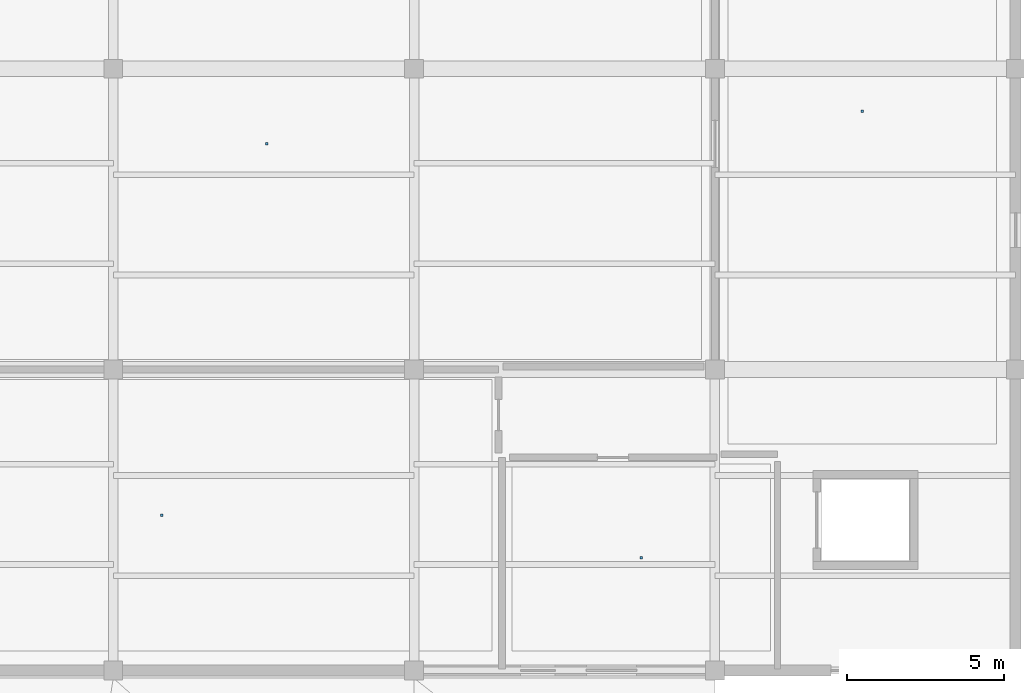
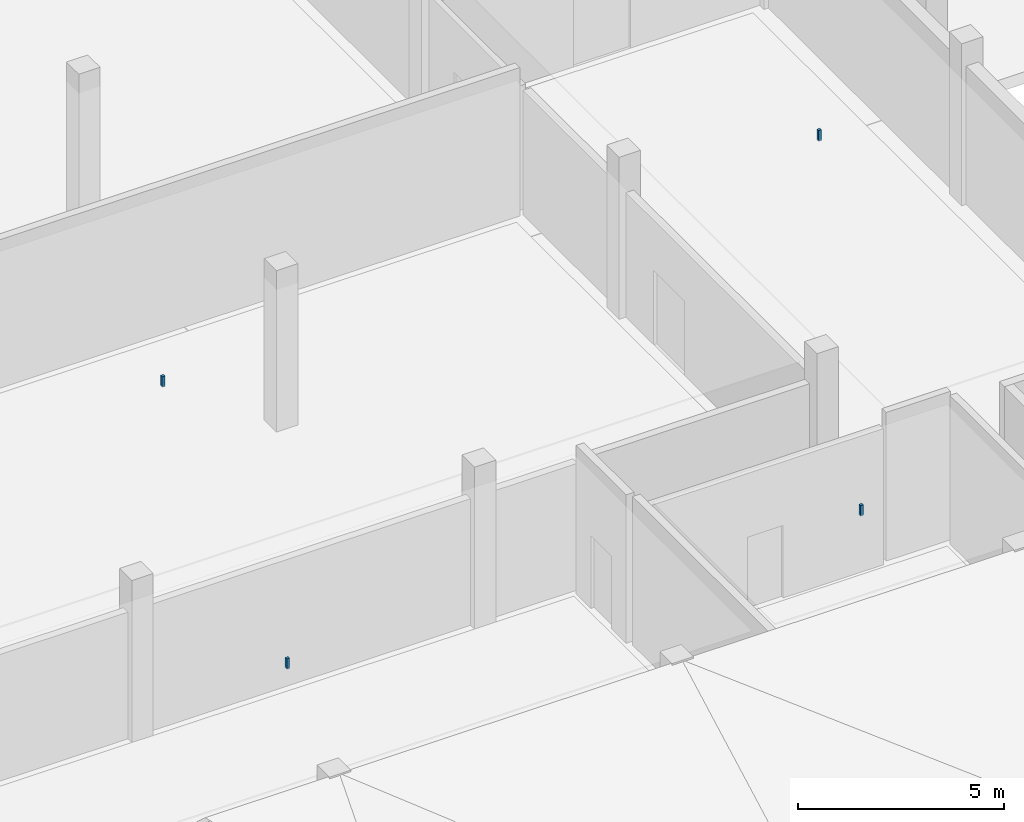
# One storey, part 99 of 116: 4 discrete accessories.
"""IFC4 building model written with IfcOpenShell, lengths in metres."""

from ifc_helpers import new_model, si_unit, direction, frame, origin, origin_2d, place, context, subcontext, project, spatial, rectangle, extrude, material, type_object, element, save


model = new_model("IFC4")

# Units and contexts
model_context = context("Model", 3, precision=1e-05, world=origin(), true_north=direction((0.0, 1.0)))
body_context = subcontext(model_context, "Body", "Model", "MODEL_VIEW")
ifc_project = project(units=[si_unit("LENGTHUNIT", "METRE"), si_unit("AREAUNIT", "SQUARE_METRE"), si_unit("VOLUMEUNIT", "CUBIC_METRE"), si_unit("PLANEANGLEUNIT", "RADIAN"), si_unit("MASSUNIT", "GRAM", prefix="KILO")], contexts=[model_context])

# Site, building, storey
site_placement = place(None, origin())
site = spatial("IfcSite", under=ifc_project, at=site_placement, CompositionType="ELEMENT")
building_placement = place(site_placement, origin())
building = spatial("IfcBuilding", under=site, at=building_placement, Name="Chalmorin Arch Market", CompositionType="ELEMENT")
storey_placement = place(building_placement, origin())
storey = spatial("IfcBuildingStorey", under=building, at=storey_placement, Name="L00", CompositionType="ELEMENT", Elevation=0.0)

# Discrete accessories
ifc_material = material(Name="Galvanized Cold-Formed Steel", Category="steel")
discrete_accessory_type = type_object("IfcDiscreteAccessoryType", Name="CeilingSuspensionBracket-80x80", PredefinedType="BRACKET", material=ifc_material)
for number, where, z_axis, x_axis, name in (
    (1, (14.5, 88.800048828125, 4.203125), (0.0, 0.0, 1.0), (1.0, 0.0, 0.0), "CSB-108"),
    (2, (11.14990234375, 76.949951171875, 4.203125), (0.0, 0.0, 1.0), (1.0, 0.0, 0.0), "CSB-110"),
    (3, (26.449951171875, 75.60009765625, 4.203125), (0.0, 0.0, 1.0), (1.0, 0.0, 0.0), "CSB-112"),
    (4, (33.5, 89.85009765625, 4.203125), (0.0, 0.0, 1.0), (1.0, 0.0, 0.0), "CSB-115"),
):
    element("IfcDiscreteAccessory", number, at=place(storey_placement, frame(where, z_axis=z_axis, x_axis=x_axis)), inside=storey, type_object=discrete_accessory_type, Name=name, PredefinedType="BRACKET", context=body_context, shape_type="SweptSolid", body=[
        extrude(rectangle(XDim=0.080078125, YDim=0.080078125, at=origin_2d()), origin(), (0.0, 0.0, 1.0), 0.306884765625),
    ])

save(model, "model.ifc")
